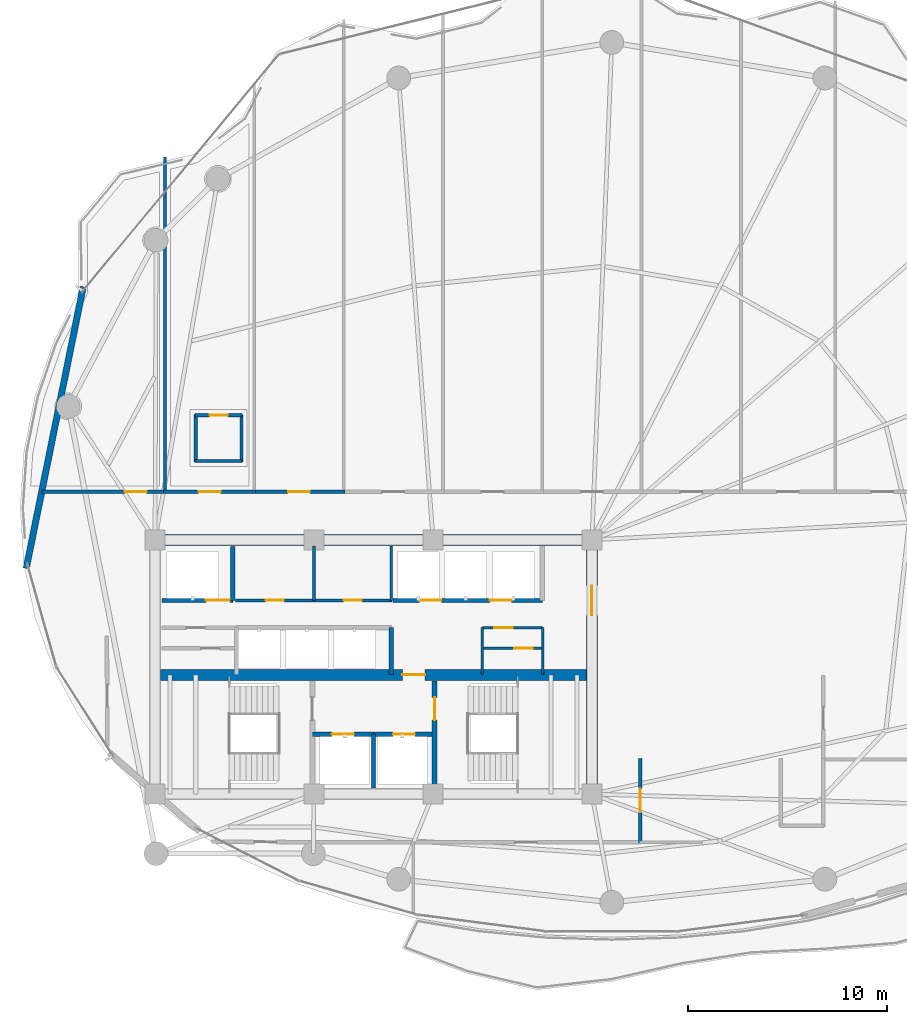
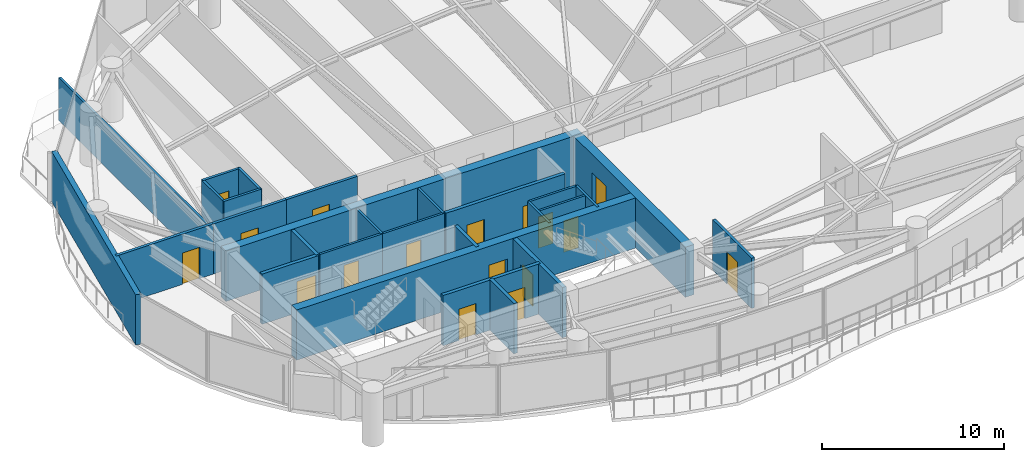
# One storey, part 23 of 28: 28 walls, 17 doors, 17 openings.
"""IFC4 building model written with IfcOpenShell, lengths in metres."""

from ifc_helpers import new_model, si_unit, direction, frame, frame_2d, origin, place, context, subcontext, project, spatial, rectangle, extrude, material, layer, layer_set, type_object, element, fill, save


model = new_model("IFC4")

# Units and contexts
model_context = context("Model", 3, precision=1e-05, world=origin(), true_north=direction((0.0, 1.0)))
body_context = subcontext(model_context, "Body", "Model", "MODEL_VIEW")
ifc_project = project(units=[si_unit("LENGTHUNIT", "METRE"), si_unit("AREAUNIT", "SQUARE_METRE"), si_unit("VOLUMEUNIT", "CUBIC_METRE"), si_unit("PLANEANGLEUNIT", "RADIAN"), si_unit("MASSUNIT", "GRAM", prefix="KILO")], contexts=[model_context])

# Site, building, storey
site_placement = place(None, origin())
site = spatial("IfcSite", under=ifc_project, at=site_placement, CompositionType="ELEMENT")
building_placement = place(site_placement, origin())
building = spatial("IfcBuilding", under=site, at=building_placement, Name="Kazevale Care Tower and Concert Hall", CompositionType="ELEMENT")
storey_placement = place(building_placement, frame((0.0, 0.0, 135.0)))
storey = spatial("IfcBuildingStorey", under=building, at=storey_placement, Name="L35", CompositionType="ELEMENT", Elevation=135.0)

# Wall, opening, door
ifc_material_1 = material(Name="Acoustic Gypsum on Steel Stud", Category="steel")
ifc_layer_1 = layer(ifc_material_1, 0.139892578125)
ifc_layer_set_1 = layer_set([ifc_layer_1], Name="Acoustic Gypsum on Steel Stud")
wall_type_1 = type_object("IfcWallType", Name="Acoustic Care & Suite Partition 140", PredefinedType="PARTITIONING", material=ifc_layer_set_1)
wall_1_placement = place(storey_placement, frame((26.050048828125, 33.35009765625, 0.0), z_axis=(0.0, 0.0, 1.0), x_axis=(1.0, 0.0, 0.0)))
wall_1 = element("IfcWall", 1, at=wall_1_placement, inside=storey, type_object=wall_type_1, Name="wall:L35:c_rpl1_s", PredefinedType="PARTITIONING", context=body_context, shape_type="SweptSolid", body=[
    extrude(rectangle(XDim=3.949951171875, YDim=0.139892578125, at=frame_2d((1.97509765625, 0.0))), origin(), (0.0, 0.0, 1.0), 3.360107421875),
])
opening_1_placement = place(wall_1_placement, frame((1.514892578125, 0.0, 0.0)))
opening_1 = element("IfcOpeningElement", 2, at=opening_1_placement, cuts=wall_1, Name="Opening ID-900", PredefinedType="OPENING", context=body_context, shape_type="SweptSolid", body=[
    extrude(rectangle(XDim=0.919921875, YDim=2.10009765625, at=frame_2d((0.4599609375, 1.050048828125))), frame((0.0, 0.079833984375, 0.0), z_axis=(0.0, -1.0, 0.0), x_axis=(1.0, 0.0, 0.0)), (0.0, 0.0, 1.0), 0.159912109375),
])
ifc_material_2 = material(Name="Oak Timber Fire Leaf", Category="wood")
door_type_1 = type_object("IfcDoorType", Name="Bathroom & Service Door 920x2100", OperationType="NOTDEFINED", PredefinedType="DOOR", material=ifc_material_2)
door_1_placement = place(opening_1_placement, origin())
door_1 = element("IfcDoor", 3, at=door_1_placement, inside=storey, type_object=door_type_1, Name="door:L35:d_rpl1", OperationType="SINGLE_SWING_LEFT", OverallHeight=2.10009765625, OverallWidth=0.919921875, PredefinedType="DOOR", context=body_context, shape_type="SweptSolid", body=[
    extrude(rectangle(XDim=0.919921875, YDim=2.10009765625, at=frame_2d((0.4599609375, 1.050048828125))), frame((0.0, 0.02490234375, 0.0), z_axis=(0.0, -1.0, 0.0), x_axis=(1.0, 0.0, 0.0)), (0.0, 0.0, 1.0), 0.050048828125),
])
fill(opening_1, door_1)

wall_2_placement = place(storey_placement, frame((30.0, 33.35009765625, 0.0), z_axis=(0.0, 0.0, 1.0), x_axis=(1.0, 0.0, 0.0)))
wall_2 = element("IfcWall", 4, at=wall_2_placement, inside=storey, type_object=wall_type_1, Name="wall:L35:c_rpl2_s", PredefinedType="PARTITIONING", context=body_context, shape_type="SweptSolid", body=[
    extrude(rectangle(XDim=3.919921875, YDim=0.139892578125, at=frame_2d((1.9599609375, 0.0))), origin(), (0.0, 0.0, 1.0), 3.360107421875),
])
opening_2_placement = place(wall_2_placement, frame((1.5, 0.0, 0.0)))
opening_2 = element("IfcOpeningElement", 5, at=opening_2_placement, cuts=wall_2, Name="Opening ID-900", PredefinedType="OPENING", context=body_context, shape_type="SweptSolid", body=[
    extrude(rectangle(XDim=0.919921875, YDim=2.10009765625, at=frame_2d((0.4599609375, 1.050048828125))), frame((0.0, 0.079833984375, 0.0), z_axis=(0.0, -1.0, 0.0), x_axis=(1.0, 0.0, 0.0)), (0.0, 0.0, 1.0), 0.159912109375),
])
door_2_placement = place(opening_2_placement, origin())
door_2 = element("IfcDoor", 6, at=door_2_placement, inside=storey, type_object=door_type_1, Name="door:L35:d_rpl2", OperationType="SINGLE_SWING_RIGHT", OverallHeight=2.10009765625, OverallWidth=0.919921875, PredefinedType="DOOR", context=body_context, shape_type="SweptSolid", body=[
    extrude(rectangle(XDim=0.919921875, YDim=2.10009765625, at=frame_2d((0.4599609375, 1.050048828125))), frame((0.0, 0.02490234375, 0.0), z_axis=(0.0, -1.0, 0.0), x_axis=(1.0, 0.0, 0.0)), (0.0, 0.0, 1.0), 0.050048828125),
])
fill(opening_2, door_2)

# Walls
for number, where, z_axis, x_axis, name in (
    (7, (30.0, 33.35009765625, 0.0), (0.0, 0.0, 1.0), (0.0, 1.0, 0.0), "wall:L35:c_rpl_m"),
    (8, (33.89990234375, 33.35009765625, 0.0), (0.0, 0.0, 1.0), (0.0, 1.0, 0.0), "wall:L35:c_rpl_e"),
):
    element("IfcWall", number, at=place(storey_placement, frame(where, z_axis=z_axis, x_axis=x_axis)), inside=storey, type_object=wall_type_1, Name=name, PredefinedType="PARTITIONING", context=body_context, shape_type="SweptSolid", body=[
        extrude(rectangle(XDim=2.75, YDim=0.139892578125, at=frame_2d((1.375, 0.0))), origin(), (0.0, 0.0, 1.0), 3.360107421875),
    ])
for number, where, z_axis, x_axis, name in (
    (9, (38.47998046875, 29.6201171875, 0.0), (0.0, 0.0, 1.0), (0.0, 1.0, 0.0), "wall:L35:kc_ew"),
    (10, (41.52001953125, 29.6201171875, 0.0), (0.0, 0.0, 1.0), (0.0, 1.0, 0.0), "wall:L35:kc_ee"),
):
    element("IfcWall", number, at=place(storey_placement, frame(where, z_axis=z_axis, x_axis=x_axis)), inside=storey, type_object=wall_type_1, Name=name, PredefinedType="PARTITIONING", context=body_context, shape_type="SweptSolid", body=[
        extrude(rectangle(XDim=2.35986328125, YDim=0.139892578125, at=frame_2d((1.179931640625, 0.0))), origin(), (0.0, 0.0, 1.0), 3.360107421875),
    ])

# Wall, opening, door
wall_3_placement = place(storey_placement, frame((38.47998046875, 30.949951171875, 0.0), z_axis=(0.0, 0.0, 1.0), x_axis=(1.0, 0.0, 0.0)))
wall_3 = element("IfcWall", 11, at=wall_3_placement, inside=storey, type_object=wall_type_1, Name="wall:L35:kc_em", PredefinedType="PARTITIONING", context=body_context, shape_type="SweptSolid", body=[
    extrude(rectangle(XDim=3.0400390625, YDim=0.139892578125, at=frame_2d((1.52001953125, 0.0))), origin(), (0.0, 0.0, 1.0), 3.360107421875),
])
opening_3_placement = place(wall_3_placement, frame((1.616943359375, 0.0, 0.0)))
opening_3 = element("IfcOpeningElement", 12, at=opening_3_placement, cuts=wall_3, Name="Opening ID-900", PredefinedType="OPENING", context=body_context, shape_type="SweptSolid", body=[
    extrude(rectangle(XDim=0.919921875, YDim=2.10009765625, at=frame_2d((0.4599609375, 1.050048828125))), frame((0.0, 0.079833984375, 0.0), z_axis=(0.0, -1.0, 0.0), x_axis=(1.0, 0.0, 0.0)), (0.0, 0.0, 1.0), 0.159912109375),
])
door_3_placement = place(opening_3_placement, origin())
door_3 = element("IfcDoor", 13, at=door_3_placement, inside=storey, type_object=door_type_1, Name="door:L35:d_kceb", OperationType="SINGLE_SWING_RIGHT", OverallHeight=2.10009765625, OverallWidth=0.919921875, PredefinedType="DOOR", context=body_context, shape_type="SweptSolid", body=[
    extrude(rectangle(XDim=0.919921875, YDim=2.10009765625, at=frame_2d((0.4599609375, 1.050048828125))), frame((0.0, 0.02490234375, 0.0), z_axis=(0.0, -1.0, 0.0), x_axis=(1.0, 0.0, 0.0)), (0.0, 0.0, 1.0), 0.050048828125),
])
fill(opening_3, door_3)

wall_4_placement = place(storey_placement, frame((38.47998046875, 31.97998046875, 0.0), z_axis=(0.0, 0.0, 1.0), x_axis=(1.0, 0.0, 0.0)))
wall_4 = element("IfcWall", 14, at=wall_4_placement, inside=storey, type_object=wall_type_1, Name="wall:L35:kc_en", PredefinedType="PARTITIONING", context=body_context, shape_type="SweptSolid", body=[
    extrude(rectangle(XDim=3.0400390625, YDim=0.139892578125, at=frame_2d((1.52001953125, 0.0))), origin(), (0.0, 0.0, 1.0), 3.360107421875),
])
opening_4_placement = place(wall_4_placement, frame((0.614013671875, 0.0, 0.0)))
opening_4 = element("IfcOpeningElement", 15, at=opening_4_placement, cuts=wall_4, Name="Opening ID-900", PredefinedType="OPENING", context=body_context, shape_type="SweptSolid", body=[
    extrude(rectangle(XDim=0.919921875, YDim=2.10009765625, at=frame_2d((0.4599609375, 1.050048828125))), frame((0.0, 0.079833984375, 0.0), z_axis=(0.0, -1.0, 0.0), x_axis=(1.0, 0.0, 0.0)), (0.0, 0.0, 1.0), 0.159912109375),
])
door_4_placement = place(opening_4_placement, origin())
door_4 = element("IfcDoor", 16, at=door_4_placement, inside=storey, type_object=door_type_1, Name="door:L35:d_kcet", OperationType="SINGLE_SWING_LEFT", OverallHeight=2.10009765625, OverallWidth=0.919921875, PredefinedType="DOOR", context=body_context, shape_type="SweptSolid", body=[
    extrude(rectangle(XDim=0.919921875, YDim=2.10009765625, at=frame_2d((0.4599609375, 1.050048828125))), frame((0.0, 0.02490234375, 0.0), z_axis=(0.0, -1.0, 0.0), x_axis=(1.0, 0.0, 0.0)), (0.0, 0.0, 1.0), 0.050048828125),
])
fill(opening_4, door_4)

# Walls
wall_5_placement = place(storey_placement, frame((22.5, 55.675048828125, 0.0), z_axis=(0.0, 0.0, 1.0), x_axis=(0.0, -1.0, 0.0)))
element("IfcWall", 17, at=wall_5_placement, inside=storey, type_object=wall_type_1, Name="wall:L35:auto_019", PredefinedType="PARTITIONING", context=body_context, shape_type="SweptSolid", body=[
    extrude(rectangle(XDim=16.880126953125, YDim=0.139892578125, at=frame_2d((8.43994140625, 0.0))), origin(), (0.0, 0.0, 1.0), 2.889892578125),
])
ifc_material_3 = material(Name="Concrete C60", Category="concrete")
ifc_layer_2 = layer(ifc_material_3, 0.550048828125)
ifc_layer_set_2 = layer_set([ifc_layer_2], Name="Concrete C60")
wall_type_2 = type_object("IfcWallType", Name="Core Shear Wall 550 C60", PredefinedType="SHEAR", material=ifc_layer_set_2)
wall_6_placement = place(storey_placement, frame((21.72509765625, 36.39990234375, 0.0), z_axis=(0.0, 0.0, 1.0), x_axis=(1.0, 0.0, 0.0)))
element("IfcWall", 18, at=wall_6_placement, inside=storey, type_object=wall_type_2, Name="wall:L35:core:N", PredefinedType="SHEAR", context=body_context, shape_type="SweptSolid", body=[
    extrude(rectangle(XDim=22.5498046875, YDim=0.550048828125, at=frame_2d((11.27490234375, 0.0))), origin(), (0.0, 0.0, 1.0), 3.360107421875),
])

# Wall, opening, door
wall_7_placement = place(storey_placement, frame((44.0, 23.875, 0.0), z_axis=(0.0, 0.0, 1.0), x_axis=(0.0, 1.0, 0.0)))
wall_7 = element("IfcWall", 19, at=wall_7_placement, inside=storey, type_object=wall_type_2, Name="wall:L35:core:E", PredefinedType="SHEAR", context=body_context, shape_type="SweptSolid", body=[
    extrude(rectangle(XDim=12.25, YDim=0.550048828125, at=frame_2d((6.125, 0.0))), origin(), (0.0, 0.0, 1.0), 3.360107421875),
])
opening_5_placement = place(wall_7_placement, frame((8.72509765625, 0.0, 0.0)))
opening_5 = element("IfcOpeningElement", 20, at=opening_5_placement, cuts=wall_7, Name="Opening FD-60D", PredefinedType="OPENING", context=body_context, shape_type="SweptSolid", body=[
    extrude(rectangle(XDim=1.5, YDim=2.14990234375, at=frame_2d((0.75, 1.074951171875))), frame((0.0, 0.284912109375, 0.0), z_axis=(0.0, -1.0, 0.0), x_axis=(1.0, 0.0, 0.0)), (0.0, 0.0, 1.0), 0.570068359375),
])
door_type_2 = type_object("IfcDoorType", Name="Double Lobby & Auditorium Fire Door 1500x2150", OperationType="NOTDEFINED", PredefinedType="DOOR", material=ifc_material_2)
door_5_placement = place(opening_5_placement, origin())
door_5 = element("IfcDoor", 21, at=door_5_placement, inside=storey, type_object=door_type_2, Name="door:L35:core_east_out", OperationType="DOUBLE_DOOR_SINGLE_SWING", OverallHeight=2.14990234375, OverallWidth=1.5, PredefinedType="DOOR", context=body_context, shape_type="SweptSolid", body=[
    extrude(rectangle(XDim=1.5, YDim=2.14990234375, at=frame_2d((0.75, 1.074951171875))), frame((0.0, 0.02490234375, 0.0), z_axis=(0.0, -1.0, 0.0), x_axis=(1.0, 0.0, 0.0)), (0.0, 0.0, 1.0), 0.050048828125),
])
fill(opening_5, door_5)

wall_8_placement = place(storey_placement, frame((22.27490234375, 29.60009765625, 0.0), z_axis=(0.0, 0.0, 1.0), x_axis=(1.0, 0.0, 0.0)))
wall_8 = element("IfcWall", 22, at=wall_8_placement, inside=storey, type_object=wall_type_2, Name="wall:L35:core:M", PredefinedType="SHEAR", context=body_context, shape_type="SweptSolid", body=[
    extrude(rectangle(XDim=21.4501953125, YDim=0.550048828125, at=frame_2d((10.72509765625, 0.0))), origin(), (0.0, 0.0, 1.0), 3.360107421875),
])
opening_6_placement = place(wall_8_placement, frame((12.175048828125, 0.0, 0.0)))
opening_6 = element("IfcOpeningElement", 23, at=opening_6_placement, cuts=wall_8, Name="Opening FD-90", PredefinedType="OPENING", context=body_context, shape_type="SweptSolid", body=[
    extrude(rectangle(XDim=1.14990234375, YDim=2.10009765625, at=frame_2d((0.574951171875, 1.050048828125))), frame((0.0, 0.284912109375, 0.0), z_axis=(0.0, -1.0, 0.0), x_axis=(1.0, 0.0, 0.0)), (0.0, 0.0, 1.0), 0.570068359375),
])
ifc_material_4 = material(Name="Steel ASTM A572 Gr 50", Category="steel")
door_type_3 = type_object("IfcDoorType", Name="Pressurized Stair & Lobby Fire Door 1150x2100", OperationType="NOTDEFINED", PredefinedType="DOOR", material=ifc_material_4)
door_6_placement = place(opening_6_placement, origin())
door_6 = element("IfcDoor", 24, at=door_6_placement, inside=storey, type_object=door_type_3, Name="door:L35:ff_to_pax", OperationType="SINGLE_SWING_LEFT", OverallHeight=2.10009765625, OverallWidth=1.14990234375, PredefinedType="DOOR", context=body_context, shape_type="SweptSolid", body=[
    extrude(rectangle(XDim=1.14990234375, YDim=2.10009765625, at=frame_2d((0.574951171875, 1.050048828125))), frame((0.0, 0.02490234375, 0.0), z_axis=(0.0, -1.0, 0.0), x_axis=(1.0, 0.0, 0.0)), (0.0, 0.0, 1.0), 0.050048828125),
])
fill(opening_6, door_6)

# Wall, openings, doors
ifc_material_5 = material(Name="Concrete C40", Category="concrete")
ifc_layer_3 = layer(ifc_material_5, 0.219970703125)
ifc_layer_set_3 = layer_set([ifc_layer_3], Name="Concrete C40")
wall_type_3 = type_object("IfcWallType", Name="Elevator Hoistway Shaft Wall 220", PredefinedType="SOLIDWALL", material=ifc_layer_set_3)
wall_9_placement = place(storey_placement, frame((29.919921875, 26.6201171875, 0.0), z_axis=(0.0, 0.0, 1.0), x_axis=(1.0, 0.0, 0.0)))
wall_9 = element("IfcWall", 25, at=wall_9_placement, inside=storey, type_object=wall_type_3, Name="wall:L35:c_ffl_n", PredefinedType="SOLIDWALL", context=body_context, shape_type="SweptSolid", body=[
    extrude(rectangle(XDim=6.16015625, YDim=0.219970703125, at=frame_2d((3.080078125, 0.0))), origin(), (0.0, 0.0, 1.0), 3.360107421875),
])
opening_7_placement = place(wall_9_placement, frame((0.989990234375, 0.0, 0.0)))
opening_7 = element("IfcOpeningElement", 26, at=opening_7_placement, cuts=wall_9, Name="Opening LD-FF", PredefinedType="OPENING", context=body_context, shape_type="SweptSolid", body=[
    extrude(rectangle(XDim=1.10009765625, YDim=2.10009765625, at=frame_2d((0.550048828125, 1.050048828125))), frame((0.0, 0.119873046875, 0.0), z_axis=(0.0, -1.0, 0.0), x_axis=(1.0, 0.0, 0.0)), (0.0, 0.0, 1.0), 0.239990234375),
])
opening_8_placement = place(wall_9_placement, frame((4.070068359375, 0.0, 0.0)))
opening_8 = element("IfcOpeningElement", 27, at=opening_8_placement, cuts=wall_9, Name="Opening LD-FF", PredefinedType="OPENING", context=body_context, shape_type="SweptSolid", body=[
    extrude(rectangle(XDim=1.10009765625, YDim=2.10009765625, at=frame_2d((0.550048828125, 1.050048828125))), frame((0.0, 0.119873046875, 0.0), z_axis=(0.0, -1.0, 0.0), x_axis=(1.0, 0.0, 0.0)), (0.0, 0.0, 1.0), 0.239990234375),
])
ifc_material_6 = material(Name="Stainless Steel 316", Category="steel")
door_type_4 = type_object("IfcDoorType", Name="Emergency Lift Sliding Landing Door 1100x2100", OperationType="NOTDEFINED", PredefinedType="DOOR", material=ifc_material_6)
door_7_placement = place(opening_7_placement, origin())
door_7 = element("IfcDoor", 28, at=door_7_placement, inside=storey, type_object=door_type_4, Name="door:L35:ld_ffl1", OperationType="SLIDING_TO_LEFT", OverallHeight=2.10009765625, OverallWidth=1.10009765625, PredefinedType="DOOR", context=body_context, shape_type="SweptSolid", body=[
    extrude(rectangle(XDim=1.10009765625, YDim=2.10009765625, at=frame_2d((0.550048828125, 1.050048828125))), frame((0.0, 0.02490234375, 0.0), z_axis=(0.0, -1.0, 0.0), x_axis=(1.0, 0.0, 0.0)), (0.0, 0.0, 1.0), 0.050048828125),
])
fill(opening_7, door_7)
door_8_placement = place(opening_8_placement, origin())
door_8 = element("IfcDoor", 29, at=door_8_placement, inside=storey, type_object=door_type_4, Name="door:L35:ld_ffl2", OperationType="SLIDING_TO_RIGHT", OverallHeight=2.10009765625, OverallWidth=1.10009765625, PredefinedType="DOOR", context=body_context, shape_type="SweptSolid", body=[
    extrude(rectangle(XDim=1.10009765625, YDim=2.10009765625, at=frame_2d((0.550048828125, 1.050048828125))), frame((0.0, 0.02490234375, 0.0), z_axis=(0.0, -1.0, 0.0), x_axis=(1.0, 0.0, 0.0)), (0.0, 0.0, 1.0), 0.050048828125),
])
fill(opening_8, door_8)

# Walls
wall_10_placement = place(storey_placement, frame((33.0, 23.89990234375, 0.0), z_axis=(0.0, 0.0, 1.0), x_axis=(0.0, 1.0, 0.0)))
element("IfcWall", 30, at=wall_10_placement, inside=storey, type_object=wall_type_3, Name="wall:L35:c_ffl_m", PredefinedType="SOLIDWALL", context=body_context, shape_type="SweptSolid", body=[
    extrude(rectangle(XDim=2.72021484375, YDim=0.219970703125, at=frame_2d((1.360107421875, 0.0))), origin(), (0.0, 0.0, 1.0), 3.360107421875),
])
wall_11_placement = place(storey_placement, frame((25.919921875, 33.35009765625, 0.0), z_axis=(0.0, 0.0, 1.0), x_axis=(0.0, 1.0, 0.0)))
element("IfcWall", 31, at=wall_11_placement, inside=storey, type_object=wall_type_3, Name="wall:L35:c_svl_e", PredefinedType="SOLIDWALL", context=body_context, shape_type="SweptSolid", body=[
    extrude(rectangle(XDim=2.72998046875, YDim=0.219970703125, at=frame_2d((1.364990234375, 0.0))), origin(), (0.0, 0.0, 1.0), 3.360107421875),
])

# Wall, opening, door
wall_12_placement = place(storey_placement, frame((22.35009765625, 33.35009765625, 0.0), z_axis=(0.0, 0.0, 1.0), x_axis=(1.0, 0.0, 0.0)))
wall_12 = element("IfcWall", 32, at=wall_12_placement, inside=storey, type_object=wall_type_3, Name="wall:L35:c_svl_s", PredefinedType="SOLIDWALL", context=body_context, shape_type="SweptSolid", body=[
    extrude(rectangle(XDim=3.56982421875, YDim=0.219970703125, at=frame_2d((1.784912109375, 0.0))), origin(), (0.0, 0.0, 1.0), 3.360107421875),
])
opening_9_placement = place(wall_12_placement, frame((2.212890625, 0.0, 0.0)))
opening_9 = element("IfcOpeningElement", 33, at=opening_9_placement, cuts=wall_12, Name="Opening LD-SV", PredefinedType="OPENING", context=body_context, shape_type="SweptSolid", body=[
    extrude(rectangle(XDim=1.199951171875, YDim=2.10009765625, at=frame_2d((0.60009765625, 1.050048828125))), frame((0.0, 0.119873046875, 0.0), z_axis=(0.0, -1.0, 0.0), x_axis=(1.0, 0.0, 0.0)), (0.0, 0.0, 1.0), 0.239990234375),
])
door_type_5 = type_object("IfcDoorType", Name="Service Lift Sliding Landing Door 1200x2100", OperationType="NOTDEFINED", PredefinedType="DOOR", material=ifc_material_6)
door_9_placement = place(opening_9_placement, origin())
door_9 = element("IfcDoor", 34, at=door_9_placement, inside=storey, type_object=door_type_5, Name="door:L35:ld_svl1", OperationType="SLIDING_TO_LEFT", OverallHeight=2.10009765625, OverallWidth=1.199951171875, PredefinedType="DOOR", context=body_context, shape_type="SweptSolid", body=[
    extrude(rectangle(XDim=1.199951171875, YDim=2.10009765625, at=frame_2d((0.60009765625, 1.050048828125))), frame((0.0, 0.02490234375, 0.0), z_axis=(0.0, -1.0, 0.0), x_axis=(1.0, 0.0, 0.0)), (0.0, 0.0, 1.0), 0.050048828125),
])
fill(opening_9, door_9)

# Wall
wall_13_placement = place(storey_placement, frame((33.89990234375, 29.6201171875, 0.0), z_axis=(0.0, 0.0, 1.0), x_axis=(0.0, 1.0, 0.0)))
element("IfcWall", 35, at=wall_13_placement, inside=storey, type_object=wall_type_3, Name="wall:L35:c_ph_e", PredefinedType="SOLIDWALL", context=body_context, shape_type="SweptSolid", body=[
    extrude(rectangle(XDim=2.35986328125, YDim=0.219970703125, at=frame_2d((1.179931640625, 0.0))), origin(), (0.0, 0.0, 1.0), 3.360107421875),
])

# Wall, openings, doors
wall_14_placement = place(storey_placement, frame((33.97998046875, 33.35009765625, 0.0), z_axis=(0.0, 0.0, 1.0), x_axis=(1.0, 0.0, 0.0)))
wall_14 = element("IfcWall", 36, at=wall_14_placement, inside=storey, type_object=wall_type_3, Name="wall:L35:c_pm_s", PredefinedType="SOLIDWALL", context=body_context, shape_type="SweptSolid", body=[
    extrude(rectangle(XDim=7.5400390625, YDim=0.219970703125, at=frame_2d((3.77001953125, 0.0))), origin(), (0.0, 0.0, 1.0), 3.360107421875),
])
opening_10_placement = place(wall_14_placement, frame((1.3349609375, 0.0, 0.0)))
opening_10 = element("IfcOpeningElement", 37, at=opening_10_placement, cuts=wall_14, Name="Opening LD-PAX", PredefinedType="OPENING", context=body_context, shape_type="SweptSolid", body=[
    extrude(rectangle(XDim=1.10009765625, YDim=2.10009765625, at=frame_2d((0.550048828125, 1.050048828125))), frame((0.0, 0.119873046875, 0.0), z_axis=(0.0, -1.0, 0.0), x_axis=(1.0, 0.0, 0.0)), (0.0, 0.0, 1.0), 0.239990234375),
])
opening_11_placement = place(wall_14_placement, frame((4.87890625, 0.0, 0.0)))
opening_11 = element("IfcOpeningElement", 38, at=opening_11_placement, cuts=wall_14, Name="Opening LD-PAX", PredefinedType="OPENING", context=body_context, shape_type="SweptSolid", body=[
    extrude(rectangle(XDim=1.10009765625, YDim=2.10009765625, at=frame_2d((0.550048828125, 1.050048828125))), frame((0.0, 0.119873046875, 0.0), z_axis=(0.0, -1.0, 0.0), x_axis=(1.0, 0.0, 0.0)), (0.0, 0.0, 1.0), 0.239990234375),
])
door_type_6 = type_object("IfcDoorType", Name="Passenger Lift Sliding Landing Door 1100x2100", OperationType="NOTDEFINED", PredefinedType="DOOR", material=ifc_material_6)
door_10_placement = place(opening_10_placement, origin())
door_10 = element("IfcDoor", 39, at=door_10_placement, inside=storey, type_object=door_type_6, Name="door:L35:ld_pm1", OperationType="SLIDING_TO_LEFT", OverallHeight=2.10009765625, OverallWidth=1.10009765625, PredefinedType="DOOR", context=body_context, shape_type="SweptSolid", body=[
    extrude(rectangle(XDim=1.10009765625, YDim=2.10009765625, at=frame_2d((0.550048828125, 1.050048828125))), frame((0.0, 0.02490234375, 0.0), z_axis=(0.0, -1.0, 0.0), x_axis=(1.0, 0.0, 0.0)), (0.0, 0.0, 1.0), 0.050048828125),
])
fill(opening_10, door_10)
door_11_placement = place(opening_11_placement, origin())
door_11 = element("IfcDoor", 40, at=door_11_placement, inside=storey, type_object=door_type_6, Name="door:L35:ld_pm2", OperationType="SLIDING_TO_RIGHT", OverallHeight=2.10009765625, OverallWidth=1.10009765625, PredefinedType="DOOR", context=body_context, shape_type="SweptSolid", body=[
    extrude(rectangle(XDim=1.10009765625, YDim=2.10009765625, at=frame_2d((0.550048828125, 1.050048828125))), frame((0.0, 0.02490234375, 0.0), z_axis=(0.0, -1.0, 0.0), x_axis=(1.0, 0.0, 0.0)), (0.0, 0.0, 1.0), 0.050048828125),
])
fill(opening_11, door_11)

# Wall, opening, door
ifc_material_7 = material(Name="Concrete C40 and Acoustic Gypsum", Category="concrete")
ifc_layer_4 = layer(ifc_material_7, 0.179931640625)
ifc_layer_set_4 = layer_set([ifc_layer_4], Name="Concrete C40 and Acoustic Gypsum")
wall_type_4 = type_object("IfcWallType", Name="Fire-Rated Corridor & Party Wall 180", PredefinedType="PARTITIONING", material=ifc_layer_set_4)
wall_15_placement = place(storey_placement, frame((16.3046875, 38.824951171875, 0.0), z_axis=(0.0, 0.0, 1.0), x_axis=(1.0, 0.0, 0.0)))
wall_15 = element("IfcWall", 41, at=wall_15_placement, inside=storey, type_object=wall_type_4, Name="wall:L35:auto_001", PredefinedType="PARTITIONING", context=body_context, shape_type="SweptSolid", body=[
    extrude(rectangle(XDim=6.26025390625, YDim=0.179931640625, at=frame_2d((3.130126953125, 0.0))), origin(), (0.0, 0.0, 1.0), 3.360107421875),
])
opening_12_placement = place(wall_15_placement, frame((4.175048828125, 0.0, 0.0)))
opening_12 = element("IfcOpeningElement", 42, at=opening_12_placement, cuts=wall_15, Name="Opening ID-1100", PredefinedType="OPENING", context=body_context, shape_type="SweptSolid", body=[
    extrude(rectangle(XDim=1.10009765625, YDim=2.10009765625, at=frame_2d((0.550048828125, 1.050048828125))), frame((0.0, 0.099853515625, 0.0), z_axis=(0.0, -1.0, 0.0), x_axis=(1.0, 0.0, 0.0)), (0.0, 0.0, 1.0), 0.199951171875),
])
door_type_7 = type_object("IfcDoorType", Name="Care Bedroom Accessible Door 1100x2100", OperationType="NOTDEFINED", PredefinedType="DOOR", material=ifc_material_2)
door_12_placement = place(opening_12_placement, origin())
door_12 = element("IfcDoor", 43, at=door_12_placement, inside=storey, type_object=door_type_7, Name="door:L35:ad_001", OperationType="SINGLE_SWING_LEFT", OverallHeight=2.10009765625, OverallWidth=1.10009765625, PredefinedType="DOOR", context=body_context, shape_type="SweptSolid", body=[
    extrude(rectangle(XDim=1.10009765625, YDim=2.10009765625, at=frame_2d((0.550048828125, 1.050048828125))), frame((0.0, 0.02490234375, 0.0), z_axis=(0.0, -1.0, 0.0), x_axis=(1.0, 0.0, 0.0)), (0.0, 0.0, 1.0), 0.050048828125),
])
fill(opening_12, door_12)

wall_16_placement = place(storey_placement, frame((22.43505859375, 38.824951171875, 0.0), z_axis=(0.0, 0.0, 1.0), x_axis=(1.0, 0.0, 0.0)))
wall_16 = element("IfcWall", 44, at=wall_16_placement, inside=storey, type_object=wall_type_4, Name="wall:L35:auto_002", PredefinedType="PARTITIONING", context=body_context, shape_type="SweptSolid", body=[
    extrude(rectangle(XDim=4.6298828125, YDim=0.179931640625, at=frame_2d((2.31494140625, 0.0))), origin(), (0.0, 0.0, 1.0), 3.360107421875),
])
opening_13_placement = place(wall_16_placement, frame((1.764892578125, 0.0, 0.0)))
opening_13 = element("IfcOpeningElement", 45, at=opening_13_placement, cuts=wall_16, Name="Opening ID-1100", PredefinedType="OPENING", context=body_context, shape_type="SweptSolid", body=[
    extrude(rectangle(XDim=1.10009765625, YDim=2.10009765625, at=frame_2d((0.550048828125, 1.050048828125))), frame((0.0, 0.099853515625, 0.0), z_axis=(0.0, -1.0, 0.0), x_axis=(1.0, 0.0, 0.0)), (0.0, 0.0, 1.0), 0.199951171875),
])
door_13_placement = place(opening_13_placement, origin())
door_13 = element("IfcDoor", 46, at=door_13_placement, inside=storey, type_object=door_type_7, Name="door:L35:ad_002", OperationType="SINGLE_SWING_LEFT", OverallHeight=2.10009765625, OverallWidth=1.10009765625, PredefinedType="DOOR", context=body_context, shape_type="SweptSolid", body=[
    extrude(rectangle(XDim=1.10009765625, YDim=2.10009765625, at=frame_2d((0.550048828125, 1.050048828125))), frame((0.0, 0.02490234375, 0.0), z_axis=(0.0, -1.0, 0.0), x_axis=(1.0, 0.0, 0.0)), (0.0, 0.0, 1.0), 0.050048828125),
])
fill(opening_13, door_13)

wall_17_placement = place(storey_placement, frame((26.93505859375, 38.824951171875, 0.0), z_axis=(0.0, 0.0, 1.0), x_axis=(1.0, 0.0, 0.0)))
wall_17 = element("IfcWall", 47, at=wall_17_placement, inside=storey, type_object=wall_type_4, Name="wall:L35:auto_003", PredefinedType="PARTITIONING", context=body_context, shape_type="SweptSolid", body=[
    extrude(rectangle(XDim=4.6298828125, YDim=0.179931640625, at=frame_2d((2.31494140625, 0.0))), origin(), (0.0, 0.0, 1.0), 3.360107421875),
])
opening_14_placement = place(wall_17_placement, frame((1.764892578125, 0.0, 0.0)))
opening_14 = element("IfcOpeningElement", 48, at=opening_14_placement, cuts=wall_17, Name="Opening ID-1100", PredefinedType="OPENING", context=body_context, shape_type="SweptSolid", body=[
    extrude(rectangle(XDim=1.10009765625, YDim=2.10009765625, at=frame_2d((0.550048828125, 1.050048828125))), frame((0.0, 0.099853515625, 0.0), z_axis=(0.0, -1.0, 0.0), x_axis=(1.0, 0.0, 0.0)), (0.0, 0.0, 1.0), 0.199951171875),
])
door_14_placement = place(opening_14_placement, origin())
door_14 = element("IfcDoor", 49, at=door_14_placement, inside=storey, type_object=door_type_7, Name="door:L35:ad_003", OperationType="SINGLE_SWING_LEFT", OverallHeight=2.10009765625, OverallWidth=1.10009765625, PredefinedType="DOOR", context=body_context, shape_type="SweptSolid", body=[
    extrude(rectangle(XDim=1.10009765625, YDim=2.10009765625, at=frame_2d((0.550048828125, 1.050048828125))), frame((0.0, 0.02490234375, 0.0), z_axis=(0.0, -1.0, 0.0), x_axis=(1.0, 0.0, 0.0)), (0.0, 0.0, 1.0), 0.050048828125),
])
fill(opening_14, door_14)

wall_18_placement = place(storey_placement, frame((46.425048828125, 25.405029296875, 0.0), z_axis=(0.0, 0.0, 1.0), x_axis=(0.0, -1.0, 0.0)))
wall_18 = element("IfcWall", 50, at=wall_18_placement, inside=storey, type_object=wall_type_4, Name="wall:L35:auto_011", PredefinedType="PARTITIONING", context=body_context, shape_type="SweptSolid", body=[
    extrude(rectangle(XDim=4.260009765625, YDim=0.179931640625, at=frame_2d((2.1298828125, 0.0))), origin(), (0.0, 0.0, 1.0), 3.360107421875),
])
opening_15_placement = place(wall_18_placement, frame((1.530029296875, 0.0, 0.0)))
opening_15 = element("IfcOpeningElement", 51, at=opening_15_placement, cuts=wall_18, Name="Opening ID-1200", PredefinedType="OPENING", context=body_context, shape_type="SweptSolid", body=[
    extrude(rectangle(XDim=1.199951171875, YDim=2.14990234375, at=frame_2d((0.60009765625, 1.074951171875))), frame((0.0, 0.099853515625, 0.0), z_axis=(0.0, -1.0, 0.0), x_axis=(1.0, 0.0, 0.0)), (0.0, 0.0, 1.0), 0.199951171875),
])
door_type_8 = type_object("IfcDoorType", Name="Clinical & Therapy Door 1200x2150", OperationType="NOTDEFINED", PredefinedType="DOOR", material=ifc_material_2)
door_15_placement = place(opening_15_placement, origin())
door_15 = element("IfcDoor", 52, at=door_15_placement, inside=storey, type_object=door_type_8, Name="door:L35:ad_011", OperationType="SINGLE_SWING_LEFT", OverallHeight=2.14990234375, OverallWidth=1.199951171875, PredefinedType="DOOR", context=body_context, shape_type="SweptSolid", body=[
    extrude(rectangle(XDim=1.199951171875, YDim=2.14990234375, at=frame_2d((0.60009765625, 1.074951171875))), frame((0.0, 0.02490234375, 0.0), z_axis=(0.0, -1.0, 0.0), x_axis=(1.0, 0.0, 0.0)), (0.0, 0.0, 1.0), 0.050048828125),
])
fill(opening_15, door_15)

# Wall
ifc_layer_5 = layer(ifc_material_1, 0.159912109375)
ifc_layer_set_5 = layer_set([ifc_layer_5], Name="Acoustic Gypsum on Steel Stud")
wall_type_5 = type_object("IfcWallType", Name="Moisture-Resistant Bathroom Plumbing Wall 160", PredefinedType="PLUMBINGWALL", material=ifc_layer_set_5)
wall_19_placement = place(storey_placement, frame((24.010009765625, 40.375, 0.0), z_axis=(0.0, 0.0, 1.0), x_axis=(1.0, 0.0, 0.0)))
element("IfcWall", 53, at=wall_19_placement, inside=storey, type_object=wall_type_5, Name="wall:L35:nb2a_ens_ws", PredefinedType="PLUMBINGWALL", context=body_context, shape_type="SweptSolid", body=[
    extrude(rectangle(XDim=2.3798828125, YDim=0.159912109375, at=frame_2d((1.18994140625, 0.0))), origin(), (0.0, 0.0, 1.0), 3.360107421875),
])

# Wall, opening, door
wall_20_placement = place(storey_placement, frame((24.010009765625, 42.675048828125, 0.0), z_axis=(0.0, 0.0, 1.0), x_axis=(1.0, 0.0, 0.0)))
wall_20 = element("IfcWall", 54, at=wall_20_placement, inside=storey, type_object=wall_type_5, Name="wall:L35:nb2a_ens_wn", PredefinedType="PLUMBINGWALL", context=body_context, shape_type="SweptSolid", body=[
    extrude(rectangle(XDim=2.3798828125, YDim=0.159912109375, at=frame_2d((1.18994140625, 0.0))), origin(), (0.0, 0.0, 1.0), 3.360107421875),
])
opening_16_placement = place(wall_20_placement, frame((0.739990234375, 0.0, 0.0)))
opening_16 = element("IfcOpeningElement", 55, at=opening_16_placement, cuts=wall_20, Name="Opening ID-900", PredefinedType="OPENING", context=body_context, shape_type="SweptSolid", body=[
    extrude(rectangle(XDim=0.919921875, YDim=2.10009765625, at=frame_2d((0.4599609375, 1.050048828125))), frame((0.0, 0.08984375, 0.0), z_axis=(0.0, -1.0, 0.0), x_axis=(1.0, 0.0, 0.0)), (0.0, 0.0, 1.0), 0.179931640625),
])
door_16_placement = place(opening_16_placement, origin())
door_16 = element("IfcDoor", 56, at=door_16_placement, inside=storey, type_object=door_type_1, Name="door:L35:nb2a_ens_d", OperationType="SINGLE_SWING_RIGHT", OverallHeight=2.10009765625, OverallWidth=0.919921875, PredefinedType="DOOR", context=body_context, shape_type="SweptSolid", body=[
    extrude(rectangle(XDim=0.919921875, YDim=2.10009765625, at=frame_2d((0.4599609375, 1.050048828125))), frame((0.0, 0.02490234375, 0.0), z_axis=(0.0, -1.0, 0.0), x_axis=(1.0, 0.0, 0.0)), (0.0, 0.0, 1.0), 0.050048828125),
])
fill(opening_16, door_16)

# Walls
for number, where, z_axis, x_axis, name in (
    (57, (24.050048828125, 40.3349609375, 0.0), (0.0, 0.0, 1.0), (0.0, 1.0, 0.0), "wall:L35:nb2a_ens_ww"),
    (58, (26.35009765625, 40.3349609375, 0.0), (0.0, 0.0, 1.0), (0.0, 1.0, 0.0), "wall:L35:nb2a_ens_we"),
):
    element("IfcWall", number, at=place(storey_placement, frame(where, z_axis=z_axis, x_axis=x_axis)), inside=storey, type_object=wall_type_5, Name=name, PredefinedType="PLUMBINGWALL", context=body_context, shape_type="SweptSolid", body=[
        extrude(rectangle(XDim=2.380126953125, YDim=0.159912109375, at=frame_2d((1.18994140625, 0.0))), origin(), (0.0, 0.0, 1.0), 3.360107421875),
    ])

# Wall, opening, door
ifc_layer_6 = layer(ifc_material_5, 0.25)
ifc_layer_set_6 = layer_set([ifc_layer_6], Name="Concrete C40")
wall_type_6 = type_object("IfcWallType", Name="Pressurized Stair Shaft Wall 250", PredefinedType="SOLIDWALL", material=ifc_layer_set_6)
wall_21_placement = place(storey_placement, frame((36.080078125, 23.89990234375, 0.0), z_axis=(0.0, 0.0, 1.0), x_axis=(0.0, 1.0, 0.0)))
wall_21 = element("IfcWall", 59, at=wall_21_placement, inside=storey, type_object=wall_type_6, Name="wall:L35:c_st2_w", PredefinedType="SOLIDWALL", context=body_context, shape_type="SweptSolid", body=[
    extrude(rectangle(XDim=5.400146484375, YDim=0.25, at=frame_2d((2.7001953125, 0.0))), origin(), (0.0, 0.0, 1.0), 3.360107421875),
])
opening_17_placement = place(wall_21_placement, frame((3.4208984375, 0.0, 0.0)))
opening_17 = element("IfcOpeningElement", 60, at=opening_17_placement, cuts=wall_21, Name="Opening FD-90", PredefinedType="OPENING", context=body_context, shape_type="SweptSolid", body=[
    extrude(rectangle(XDim=1.14990234375, YDim=2.10009765625, at=frame_2d((0.574951171875, 1.050048828125))), frame((0.0, 0.135009765625, 0.0), z_axis=(0.0, -1.0, 0.0), x_axis=(1.0, 0.0, 0.0)), (0.0, 0.0, 1.0), 0.27001953125),
])
door_17_placement = place(opening_17_placement, origin())
door_17 = element("IfcDoor", 61, at=door_17_placement, inside=storey, type_object=door_type_3, Name="door:L35:st2", OperationType="SINGLE_SWING_LEFT", OverallHeight=2.10009765625, OverallWidth=1.14990234375, PredefinedType="DOOR", context=body_context, shape_type="SweptSolid", body=[
    extrude(rectangle(XDim=1.14990234375, YDim=2.10009765625, at=frame_2d((0.574951171875, 1.050048828125))), frame((0.0, 0.02490234375, 0.0), z_axis=(0.0, -1.0, 0.0), x_axis=(1.0, 0.0, 0.0)), (0.0, 0.0, 1.0), 0.050048828125),
])
fill(opening_17, door_17)

# Wall
ifc_material_8 = material(Name="Concrete C40 with Honed Limestone Cladding", Category="masonry")
ifc_layer_7 = layer(ifc_material_8, 0.320068359375)
ifc_layer_set_7 = layer_set([ifc_layer_7], Name="Concrete C40 with Honed Limestone Cladding")
wall_type_7 = type_object("IfcWallType", Name="Tower Honed Limestone Spandrel Wall 320", PredefinedType="STANDARD", material=ifc_layer_set_7)
wall_22_placement = place(storey_placement, frame((15.513916015625, 34.967041015625, 0.0), z_axis=(0.0, 0.0, 1.0), x_axis=(0.198370893133, 0.980127026848, 0.0)))
element("IfcWall", 62, at=wall_22_placement, inside=storey, type_object=wall_type_7, Name="wall:cw:L35:f13", PredefinedType="STANDARD", context=body_context, shape_type="SweptSolid", body=[
    extrude(rectangle(XDim=14.468505859375, YDim=0.320068359375, at=frame_2d((7.234375, 0.0))), origin(), (0.0, 0.0, 1.0), 3.360107421875),
])

save(model, "model.ifc")
